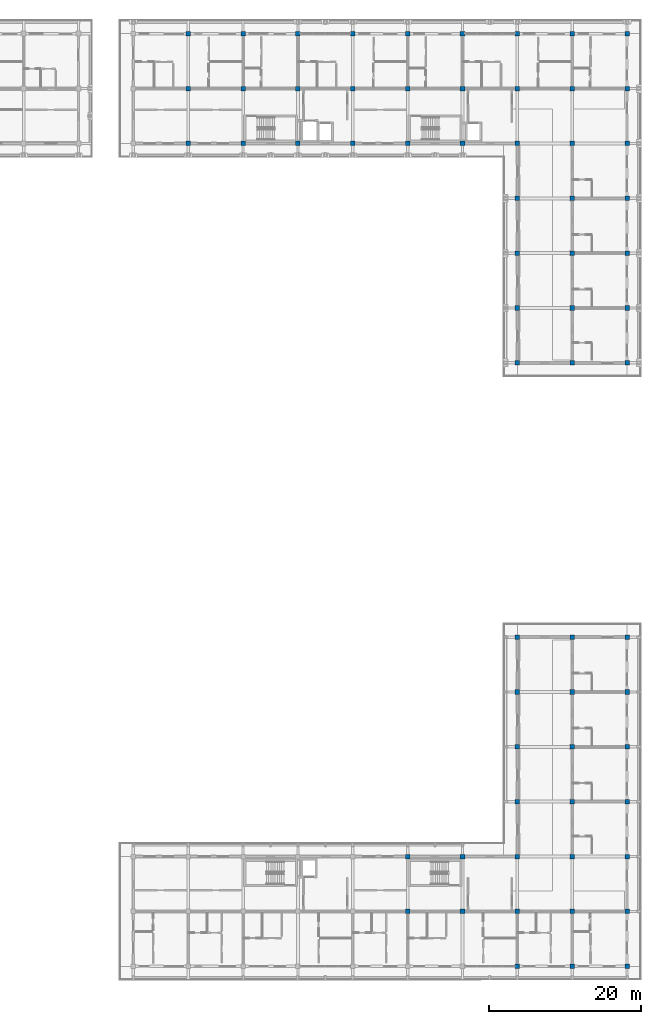
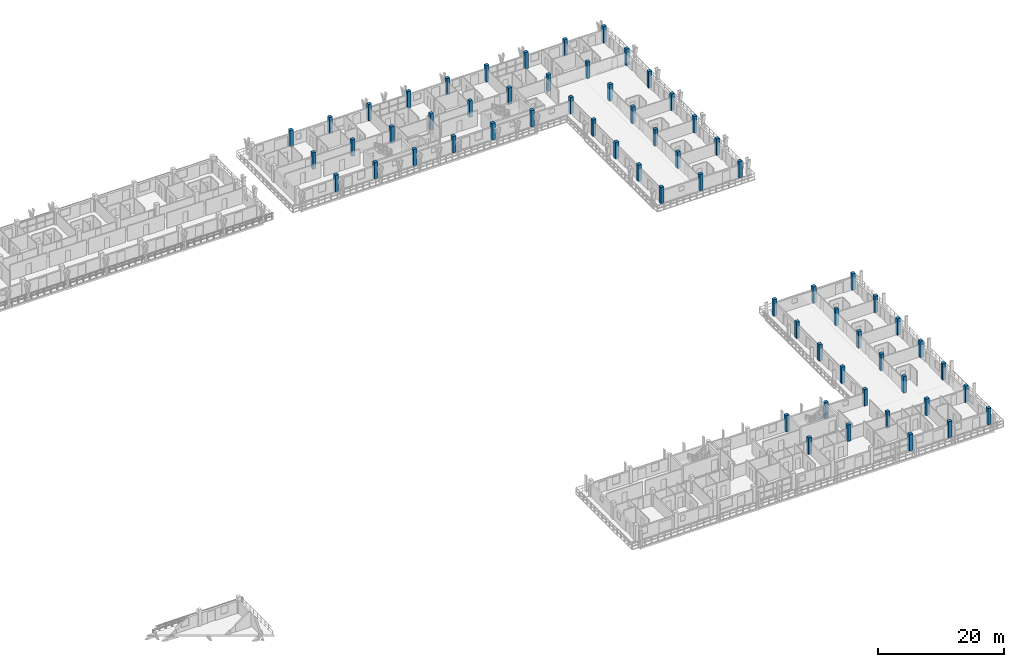
# One storey, part 2 of 76: 64 columns.
"""IFC4 building model written with IfcOpenShell, lengths in metres."""

from ifc_helpers import new_model, si_unit, direction, frame, origin, origin_2d, place, context, subcontext, project, spatial, rectangle, extrude, material, material_profile, profile_set, type_object, element, save


model = new_model("IFC4")

# Units and contexts
model_context = context("Model", 3, precision=1e-05, world=origin(), true_north=direction((0.0, 1.0)))
body_context = subcontext(model_context, "Body", "Model", "MODEL_VIEW")
ifc_project = project(units=[si_unit("LENGTHUNIT", "METRE"), si_unit("AREAUNIT", "SQUARE_METRE"), si_unit("VOLUMEUNIT", "CUBIC_METRE"), si_unit("PLANEANGLEUNIT", "RADIAN"), si_unit("MASSUNIT", "GRAM", prefix="KILO")], contexts=[model_context])

# Site, building, storey
site_placement = place(None, origin())
site = spatial("IfcSite", under=ifc_project, at=site_placement, CompositionType="ELEMENT")
building_placement = place(site_placement, origin())
building = spatial("IfcBuilding", under=site, at=building_placement, Name="Suanplinth Sawtooth Commons", CompositionType="ELEMENT")
storey_placement = place(building_placement, frame((0.0, 0.0, 12.199951171875)))
storey = spatial("IfcBuildingStorey", under=building, at=storey_placement, Name="L03", CompositionType="ELEMENT", Elevation=12.199951171875)

# Columns
ifc_material = material(Name="Precast concrete C40/50", Category="concrete")
ifc_material_profile = material_profile(ifc_material, rectangle(XDim=0.60009765625, YDim=0.60009765625, at=origin_2d()), Name="PC-COL 600x600")
ifc_profile_set = profile_set([ifc_material_profile], Name="Precast concrete C40/50")
column_type = type_object("IfcColumnType", Name="C-04", PredefinedType="COLUMN", material=ifc_profile_set)
for number, where, z_axis, x_axis, name in (
    (1, (129.60009765625, 108.0, 0.0), (0.0, 0.0, 1.0), (1.0, 0.0, 0.0), "Column L03 19/R"),
    (2, (129.60009765625, 115.199951171875, 0.0), (0.0, 0.0, 1.0), (1.0, 0.0, 0.0), "Column L03 19/S"),
    (3, (129.60009765625, 122.39990234375, 0.0), (0.0, 0.0, 1.0), (1.0, 0.0, 0.0), "Column L03 19/T"),
    (4, (136.800048828125, 108.0, 0.0), (0.0, 0.0, 1.0), (1.0, 0.0, 0.0), "Column L03 20/R"),
    (5, (136.800048828125, 115.199951171875, 0.0), (0.0, 0.0, 1.0), (1.0, 0.0, 0.0), "Column L03 20/S"),
    (6, (136.800048828125, 122.39990234375, 0.0), (0.0, 0.0, 1.0), (1.0, 0.0, 0.0), "Column L03 20/T"),
    (7, (144.0, 108.0, 0.0), (0.0, 0.0, 1.0), (1.0, 0.0, 0.0), "Column L03 21/R"),
    (8, (144.0, 115.199951171875, 0.0), (0.0, 0.0, 1.0), (1.0, 0.0, 0.0), "Column L03 21/S"),
    (9, (144.0, 122.39990234375, 0.0), (0.0, 0.0, 1.0), (1.0, 0.0, 0.0), "Column L03 21/T"),
    (10, (151.199951171875, 108.0, 0.0), (0.0, 0.0, 1.0), (1.0, 0.0, 0.0), "Column L03 22/R"),
    (11, (151.199951171875, 115.199951171875, 0.0), (0.0, 0.0, 1.0), (1.0, 0.0, 0.0), "Column L03 22/S"),
    (12, (151.199951171875, 122.39990234375, 0.0), (0.0, 0.0, 1.0), (1.0, 0.0, 0.0), "Column L03 22/T"),
    (13, (158.39990234375, 7.199951171875, 0.0), (0.0, 0.0, 1.0), (1.0, 0.0, 0.0), "Column L03 23/B"),
    (14, (158.39990234375, 14.39990234375, 0.0), (0.0, 0.0, 1.0), (1.0, 0.0, 0.0), "Column L03 23/C"),
    (15, (158.39990234375, 108.0, 0.0), (0.0, 0.0, 1.0), (1.0, 0.0, 0.0), "Column L03 23/R"),
    (16, (158.39990234375, 115.199951171875, 0.0), (0.0, 0.0, 1.0), (1.0, 0.0, 0.0), "Column L03 23/S"),
    (17, (158.39990234375, 122.39990234375, 0.0), (0.0, 0.0, 1.0), (1.0, 0.0, 0.0), "Column L03 23/T"),
    (18, (165.60009765625, 7.199951171875, 0.0), (0.0, 0.0, 1.0), (1.0, 0.0, 0.0), "Column L03 24/B"),
    (19, (165.60009765625, 14.39990234375, 0.0), (0.0, 0.0, 1.0), (1.0, 0.0, 0.0), "Column L03 24/C"),
    (20, (165.60009765625, 108.0, 0.0), (0.0, 0.0, 1.0), (1.0, 0.0, 0.0), "Column L03 24/R"),
    (21, (165.60009765625, 115.199951171875, 0.0), (0.0, 0.0, 1.0), (1.0, 0.0, 0.0), "Column L03 24/S"),
    (22, (165.60009765625, 122.39990234375, 0.0), (0.0, 0.0, 1.0), (1.0, 0.0, 0.0), "Column L03 24/T"),
    (23, (172.800048828125, 0.0, 0.0), (0.0, 0.0, 1.0), (1.0, 0.0, 0.0), "Column L03 25/A"),
    (24, (172.800048828125, 7.199951171875, 0.0), (0.0, 0.0, 1.0), (1.0, 0.0, 0.0), "Column L03 25/B"),
    (25, (172.800048828125, 14.39990234375, 0.0), (0.0, 0.0, 1.0), (1.0, 0.0, 0.0), "Column L03 25/C"),
    (26, (172.800048828125, 21.60009765625, 0.0), (0.0, 0.0, 1.0), (1.0, 0.0, 0.0), "Column L03 25/D"),
    (27, (172.800048828125, 28.800048828125, 0.0), (0.0, 0.0, 1.0), (1.0, 0.0, 0.0), "Column L03 25/E"),
    (28, (172.800048828125, 36.0, 0.0), (0.0, 0.0, 1.0), (1.0, 0.0, 0.0), "Column L03 25/F"),
    (29, (172.800048828125, 43.199951171875, 0.0), (0.0, 0.0, 1.0), (1.0, 0.0, 0.0), "Column L03 25/G"),
    (30, (172.800048828125, 79.199951171875, 0.0), (0.0, 0.0, 1.0), (1.0, 0.0, 0.0), "Column L03 25/M"),
    (31, (172.800048828125, 86.39990234375, 0.0), (0.0, 0.0, 1.0), (1.0, 0.0, 0.0), "Column L03 25/N"),
    (32, (172.800048828125, 93.60009765625, 0.0), (0.0, 0.0, 1.0), (1.0, 0.0, 0.0), "Column L03 25/P"),
    (33, (172.800048828125, 100.800048828125, 0.0), (0.0, 0.0, 1.0), (1.0, 0.0, 0.0), "Column L03 25/Q"),
    (34, (172.800048828125, 108.0, 0.0), (0.0, 0.0, 1.0), (1.0, 0.0, 0.0), "Column L03 25/R"),
    (35, (172.800048828125, 115.199951171875, 0.0), (0.0, 0.0, 1.0), (1.0, 0.0, 0.0), "Column L03 25/S"),
    (36, (172.800048828125, 122.39990234375, 0.0), (0.0, 0.0, 1.0), (1.0, 0.0, 0.0), "Column L03 25/T"),
    (37, (180.0, 0.0, 0.0), (0.0, 0.0, 1.0), (1.0, 0.0, 0.0), "Column L03 26/A"),
    (38, (180.0, 7.199951171875, 0.0), (0.0, 0.0, 1.0), (1.0, 0.0, 0.0), "Column L03 26/B"),
    (39, (180.0, 14.39990234375, 0.0), (0.0, 0.0, 1.0), (1.0, 0.0, 0.0), "Column L03 26/C"),
    (40, (180.0, 21.60009765625, 0.0), (0.0, 0.0, 1.0), (1.0, 0.0, 0.0), "Column L03 26/D"),
    (41, (180.0, 28.800048828125, 0.0), (0.0, 0.0, 1.0), (1.0, 0.0, 0.0), "Column L03 26/E"),
    (42, (180.0, 36.0, 0.0), (0.0, 0.0, 1.0), (1.0, 0.0, 0.0), "Column L03 26/F"),
    (43, (180.0, 43.199951171875, 0.0), (0.0, 0.0, 1.0), (1.0, 0.0, 0.0), "Column L03 26/G"),
    (44, (180.0, 79.199951171875, 0.0), (0.0, 0.0, 1.0), (1.0, 0.0, 0.0), "Column L03 26/M"),
    (45, (180.0, 86.39990234375, 0.0), (0.0, 0.0, 1.0), (1.0, 0.0, 0.0), "Column L03 26/N"),
    (46, (180.0, 93.60009765625, 0.0), (0.0, 0.0, 1.0), (1.0, 0.0, 0.0), "Column L03 26/P"),
    (47, (180.0, 100.800048828125, 0.0), (0.0, 0.0, 1.0), (1.0, 0.0, 0.0), "Column L03 26/Q"),
    (48, (180.0, 108.0, 0.0), (0.0, 0.0, 1.0), (1.0, 0.0, 0.0), "Column L03 26/R"),
    (49, (180.0, 115.199951171875, 0.0), (0.0, 0.0, 1.0), (1.0, 0.0, 0.0), "Column L03 26/S"),
    (50, (180.0, 122.39990234375, 0.0), (0.0, 0.0, 1.0), (1.0, 0.0, 0.0), "Column L03 26/T"),
    (51, (187.199951171875, 0.0, 0.0), (0.0, 0.0, 1.0), (1.0, 0.0, 0.0), "Column L03 27/A"),
    (52, (187.199951171875, 7.199951171875, 0.0), (0.0, 0.0, 1.0), (1.0, 0.0, 0.0), "Column L03 27/B"),
    (53, (187.199951171875, 14.39990234375, 0.0), (0.0, 0.0, 1.0), (1.0, 0.0, 0.0), "Column L03 27/C"),
    (54, (187.199951171875, 21.60009765625, 0.0), (0.0, 0.0, 1.0), (1.0, 0.0, 0.0), "Column L03 27/D"),
    (55, (187.199951171875, 28.800048828125, 0.0), (0.0, 0.0, 1.0), (1.0, 0.0, 0.0), "Column L03 27/E"),
    (56, (187.199951171875, 36.0, 0.0), (0.0, 0.0, 1.0), (1.0, 0.0, 0.0), "Column L03 27/F"),
    (57, (187.199951171875, 43.199951171875, 0.0), (0.0, 0.0, 1.0), (1.0, 0.0, 0.0), "Column L03 27/G"),
    (58, (187.199951171875, 79.199951171875, 0.0), (0.0, 0.0, 1.0), (1.0, 0.0, 0.0), "Column L03 27/M"),
    (59, (187.199951171875, 86.39990234375, 0.0), (0.0, 0.0, 1.0), (1.0, 0.0, 0.0), "Column L03 27/N"),
    (60, (187.199951171875, 93.60009765625, 0.0), (0.0, 0.0, 1.0), (1.0, 0.0, 0.0), "Column L03 27/P"),
    (61, (187.199951171875, 100.800048828125, 0.0), (0.0, 0.0, 1.0), (1.0, 0.0, 0.0), "Column L03 27/Q"),
    (62, (187.199951171875, 108.0, 0.0), (0.0, 0.0, 1.0), (1.0, 0.0, 0.0), "Column L03 27/R"),
    (63, (187.199951171875, 115.199951171875, 0.0), (0.0, 0.0, 1.0), (1.0, 0.0, 0.0), "Column L03 27/S"),
    (64, (187.199951171875, 122.39990234375, 0.0), (0.0, 0.0, 1.0), (1.0, 0.0, 0.0), "Column L03 27/T"),
):
    element("IfcColumn", number, at=place(storey_placement, frame(where, z_axis=z_axis, x_axis=x_axis)), inside=storey, type_object=column_type, Name=name, PredefinedType="COLUMN", context=body_context, shape_type="SweptSolid", body=[
        extrude(rectangle(XDim=0.60009765625, YDim=0.60009765625, at=origin_2d()), origin(), (0.0, 0.0, 1.0), 3.199951171875),
    ])

save(model, "model.ifc")
